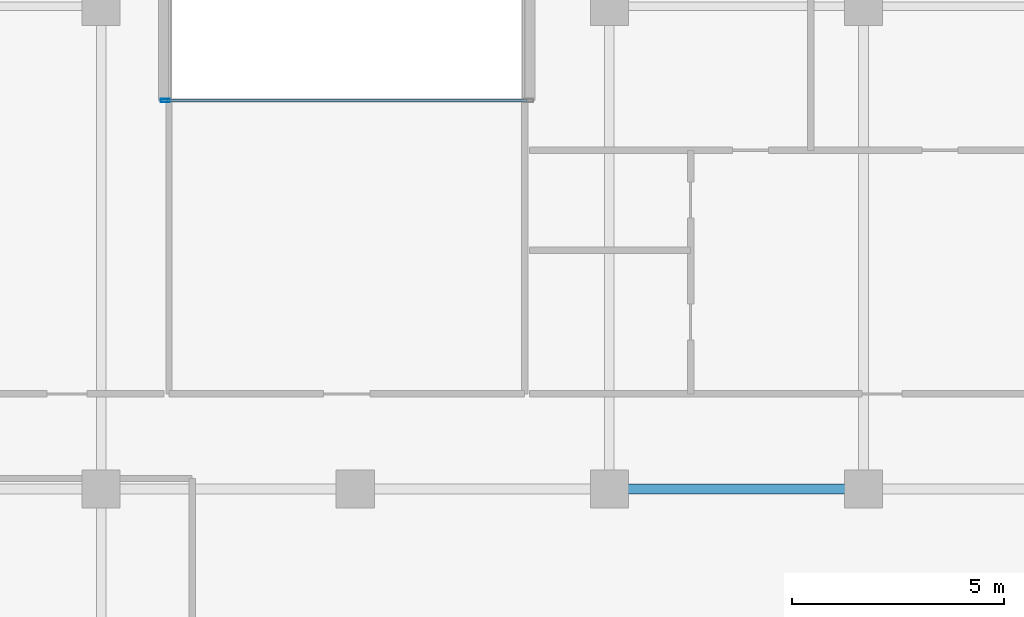
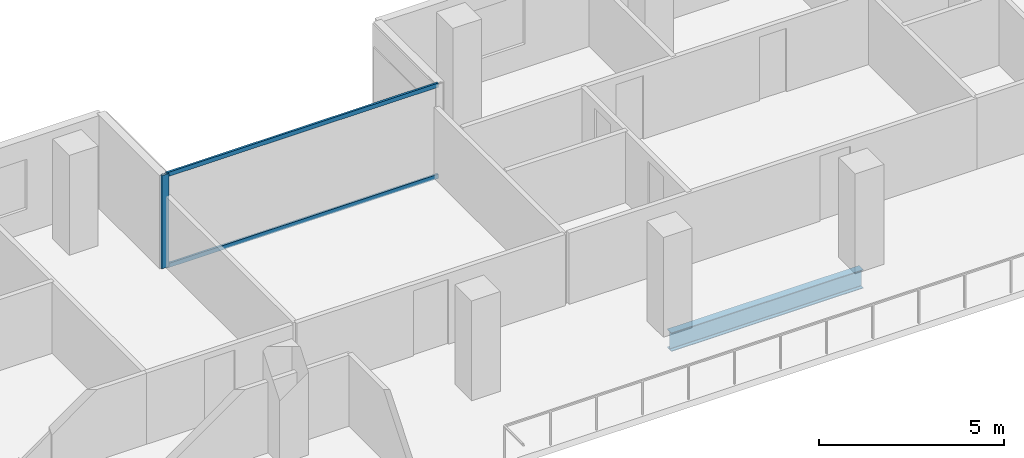
# One storey, part 10 of 29: 3 members, 1 beam, 1 element without a shape of its own.
"""IFC4 building model written with IfcOpenShell, lengths in metres."""

import ifcopenshell
import ifcopenshell.guid

model = None  # the IFC model being written
_history = None  # IfcOwnerHistory: only IFC2X3 demands one
_inside = {}  # id of a spatial element -> (the spatial element, [elements in it])
_under = {}  # id of a project, library or spatial element -> (it, [spatial elements below it])
_declared = {}  # id of a project -> (the project, [libraries it declares])
_typed = {}  # id of a type object -> (the type object, [elements of that type])
_made_of = {}  # id of a material, layer set ... -> (it, [elements and type objects made of it])


def new_model(schema):
    """Start an empty IFC model of exactly this schema.

    Asked for "IFC4X3", IfcOpenShell would pick the latest addendum, in which some entities
    have other attributes; the version numbers below select the first issue.
    IFC2X3 requires an IfcOwnerHistory on every rooted entity: one is made here for all.
    """
    global model, _history
    if schema == "IFC4X3":
        model = ifcopenshell.file(schema_version=(4, 3, 0, 0))
    else:
        model = ifcopenshell.file(schema=schema)
    _inside.clear()
    _under.clear()
    _declared.clear()
    _typed.clear()
    _made_of.clear()
    _history = None
    if model.schema == "IFC2X3":
        org = make("IfcOrganization", Name="unknown")
        user = make(
            "IfcPersonAndOrganization",
            ThePerson=make("IfcPerson", FamilyName="unknown"),
            TheOrganization=org,
        )
        app = make(
            "IfcApplication",
            ApplicationDeveloper=org,
            Version="unknown",
            ApplicationFullName="unknown",
            ApplicationIdentifier="unknown",
        )
        _history = make(
            "IfcOwnerHistory",
            OwningUser=user,
            OwningApplication=app,
            ChangeAction="ADDED",
            CreationDate=0,
        )
    return model


def make(cls, **values):
    """One entity of the class cls with the attributes given. An attribute that is None is left unset."""
    return model.create_entity(
        cls, **{name: value for name, value in values.items() if value is not None}
    )


def rooted(cls, **values):
    """An entity with a GlobalId (a new one), such as an element, a storey or a relation."""
    return make(cls, GlobalId=ifcopenshell.guid.new(), OwnerHistory=_history, **values)


def si_unit(unit_type, name, prefix=None):
    """IfcSIUnit, for example si_unit("LENGTHUNIT", "METRE", prefix="MILLI")."""
    return make("IfcSIUnit", UnitType=unit_type, Prefix=prefix, Name=name)


def assignment(units):
    """IfcUnitAssignment: the units of a project."""
    return None if units is None else make("IfcUnitAssignment", Units=units)


def point(xyz):
    """IfcCartesianPoint."""
    return None if xyz is None else make("IfcCartesianPoint", Coordinates=xyz)


def direction(xyz):
    """IfcDirection."""
    return None if xyz is None else make("IfcDirection", DirectionRatios=xyz)


def frame(location, z_axis=None, x_axis=None):
    """IfcAxis2Placement3D, a coordinate frame: its origin and axes. An axis left out is left unset."""
    return make(
        "IfcAxis2Placement3D",
        Location=point(location),
        Axis=direction(z_axis),
        RefDirection=direction(x_axis),
    )


def frame_2d(location, x_axis=None):
    """IfcAxis2Placement2D, a coordinate frame in the plane: its origin and x axis."""
    return make(
        "IfcAxis2Placement2D", Location=point(location), RefDirection=direction(x_axis)
    )


def origin():
    """The frame at (0, 0, 0) with its axes left unset."""
    return frame((0.0, 0.0, 0.0))


def origin_2d():
    """The frame at (0, 0) in the plane with its x axis left unset."""
    return frame_2d((0.0, 0.0))


def place(relative_to, where):
    """IfcLocalPlacement: puts the frame where relative to a parent placement (None: the world)."""
    return make(
        "IfcLocalPlacement", PlacementRelTo=relative_to, RelativePlacement=where
    )


def context(
    kind, dimensions, precision=None, world=None, true_north=None, identifier=None
):
    """IfcGeometricRepresentationContext, for example the 3D "Model" context."""
    return make(
        "IfcGeometricRepresentationContext",
        ContextIdentifier=identifier,
        ContextType=kind,
        CoordinateSpaceDimension=dimensions,
        Precision=precision,
        WorldCoordinateSystem=world,
        TrueNorth=true_north,
    )


def subcontext(parent, identifier, kind, view, scale=None):
    """IfcGeometricRepresentationSubContext, for example "Body" below "Model"."""
    return make(
        "IfcGeometricRepresentationSubContext",
        ContextIdentifier=identifier,
        ContextType=kind,
        ParentContext=parent,
        TargetScale=scale,
        TargetView=view,
    )


def project(units=None, contexts=None):
    """IfcProject with its units and contexts."""
    return rooted(
        "IfcProject",
        Name="project",
        RepresentationContexts=contexts,
        UnitsInContext=assignment(units),
    )


def spatial(cls, under=None, at=None, **own):
    """A site, building, storey or space (cls), placed at a placement, below another one or the project."""
    s = rooted(cls, ObjectPlacement=at, **own)
    if under is not None:
        _under.setdefault(under.id(), (under, []))[1].append(s)
    return s


def profile(cls, at=None, kind="AREA", **sizes):
    """A parametric profile (cls). Its sizes go by their IFC names, for example OverallWidth=200.0."""
    return make(cls, ProfileType=kind, Position=at, **sizes)


def hollow_rectangle(**sizes):
    """IfcRectangleHollowProfileDef."""
    return profile("IfcRectangleHollowProfileDef", **sizes)


def i_section(**sizes):
    """IfcIShapeProfileDef."""
    return profile("IfcIShapeProfileDef", **sizes)


def extrude(swept, where, along, depth):
    """IfcExtrudedAreaSolid: the profile swept, set in the frame where, extruded along a direction by depth."""
    return make(
        "IfcExtrudedAreaSolid",
        SweptArea=swept,
        Position=where,
        ExtrudedDirection=direction(along),
        Depth=depth,
    )


def shape(context_of_items, identifier, shape_type, items):
    """IfcShapeRepresentation: the items that make up one representation, for example the "Body"."""
    return make(
        "IfcShapeRepresentation",
        ContextOfItems=context_of_items,
        RepresentationIdentifier=identifier,
        RepresentationType=shape_type,
        Items=items,
    )


def material(Name=None, Category=None):
    """IfcMaterial."""
    return make("IfcMaterial", Name=Name, Category=Category)


def layer(
    of_material, thickness, ventilated=None, Name=None, Category=None, Priority=None
):
    """IfcMaterialLayer: one layer of a wall or slab, of a material (None: an air gap)."""
    return make(
        "IfcMaterialLayer",
        Material=of_material,
        LayerThickness=thickness,
        IsVentilated=ventilated,
        Name=Name,
        Category=Category,
        Priority=Priority,
    )


def layer_set(layers, Name=None):
    """IfcMaterialLayerSet."""
    return make("IfcMaterialLayerSet", MaterialLayers=layers, LayerSetName=Name)


def material_profile(
    of_material, cross_section, Name=None, Category=None, Priority=None
):
    """IfcMaterialProfile: a cross section and its material."""
    return make(
        "IfcMaterialProfile",
        Name=Name,
        Material=of_material,
        Profile=cross_section,
        Priority=Priority,
        Category=Category,
    )


def profile_set(profiles, Name=None, composite=None):
    """IfcMaterialProfileSet."""
    return make(
        "IfcMaterialProfileSet",
        Name=Name,
        MaterialProfiles=profiles,
        CompositeProfile=composite,
    )


def made_of(thing, what):
    """Note that an element or type object is made of a material, layer set ...; save() writes the relation."""
    if what is not None:
        _made_of.setdefault(what.id(), (what, []))[1].append(thing)
    return thing


def type_object(cls, material=None, **own):
    """A type object (cls), such as IfcWallType, which elements share."""
    return made_of(rooted(cls, **own), material)


def element(
    cls,
    number,
    at=None,
    inside=None,
    cuts=None,
    type_object=None,
    material=None,
    context=None,
    identifier="Body",
    shape_type=None,
    held_by="IfcProductDefinitionShape",
    body=None,
    shapes=None,
    **own,
):
    """One element of the class cls, such as IfcWall. Its Tag is "e" and its number.

    at: its placement. inside: the storey or other place that contains it. cuts: it is an
    opening in that element (IfcRelVoidsElement). A single representation is given by context,
    identifier, shape_type and body (its items); several are given by shapes. held_by: the class
    of the entity that holds the representations. save() writes the other relations.
    """
    e = rooted(cls, Tag="e%d" % number, ObjectPlacement=at, **own)
    if body is not None:
        shapes = [shape(context, identifier, shape_type, body)]
    if shapes is not None:
        e.Representation = make(held_by, Representations=shapes)
    if inside is not None:
        _inside.setdefault(inside.id(), (inside, []))[1].append(e)
    if cuts is not None:
        rooted(
            "IfcRelVoidsElement", RelatingBuildingElement=cuts, RelatedOpeningElement=e
        )
    if type_object is not None:
        _typed.setdefault(type_object.id(), (type_object, []))[1].append(e)
    return made_of(e, material)


def aggregate(whole, parts):
    """IfcRelAggregates: a whole, such as a stair, and the parts it consists of."""
    return rooted("IfcRelAggregates", RelatingObject=whole, RelatedObjects=parts)


def save(model, path):
    """Write the relations noted so far, then the file.

    IfcRelAggregates (storeys below a building ...), IfcRelContainedInSpatialStructure (elements
    in a storey), IfcRelDefinesByType, IfcRelAssociatesMaterial and IfcRelDeclares: one each for
    every whole, place, type object, material and project.
    """
    for whole, parts in _under.values():
        aggregate(whole, parts)
    for where, things in _inside.values():
        rooted(
            "IfcRelContainedInSpatialStructure",
            RelatedElements=things,
            RelatingStructure=where,
        )
    for kind, things in _typed.values():
        rooted("IfcRelDefinesByType", RelatedObjects=things, RelatingType=kind)
    for what, things in _made_of.values():
        rooted("IfcRelAssociatesMaterial", RelatedObjects=things, RelatingMaterial=what)
    for by, libraries in _declared.values():
        rooted("IfcRelDeclares", RelatingContext=by, RelatedDefinitions=libraries)
    model.write(path)


model = new_model("IFC4")

# Units and contexts
model_context = context("Model", 3, precision=1e-05, world=origin(), true_north=direction((0.0, 1.0)))
body_context = subcontext(model_context, "Body", "Model", "MODEL_VIEW")
ifc_project = project(units=[si_unit("LENGTHUNIT", "METRE"), si_unit("AREAUNIT", "SQUARE_METRE"), si_unit("VOLUMEUNIT", "CUBIC_METRE"), si_unit("PLANEANGLEUNIT", "RADIAN"), si_unit("MASSUNIT", "GRAM", prefix="KILO")], contexts=[model_context])

# Site, building, storey
site_placement = place(None, origin())
site = spatial("IfcSite", under=ifc_project, at=site_placement, CompositionType="ELEMENT")
building_placement = place(site_placement, origin())
building = spatial("IfcBuilding", under=site, at=building_placement, Name="Tanjung Sevakor Pilgrim Tower", CompositionType="ELEMENT")
storey_placement = place(building_placement, frame((0.0, 0.0, 148.5)))
storey = spatial("IfcBuildingStorey", under=building, at=storey_placement, Name="L41", CompositionType="ELEMENT", Elevation=148.5)

# Beam
ifc_material_1 = material(Name="Steel S355J2", Category="steel")
ifc_material_profile_1 = material_profile(ifc_material_1, i_section(OverallWidth=0.230224609375, OverallDepth=0.6171875, WebThickness=0.01318359375, FlangeThickness=0.022216796875, FilletRadius=0.0126953125, at=origin_2d()))
ifc_profile_set_1 = profile_set([ifc_material_profile_1], Name="Steel S355J2")
beam_type = type_object("IfcBeamType", Name="BM-B-G3-UB_610x229x140", PredefinedType="BEAM", material=ifc_profile_set_1)
beam_placement = place(storey_placement, frame((54.0, 42.60009765625, -0.528564453125), z_axis=(1.0, 0.0, 0.0), x_axis=(0.0, 1.0, 0.0)))
element("IfcBeam", 1, at=beam_placement, inside=storey, type_object=beam_type, Name="L41 Primary Floor Girder MAIN Y426-04", PredefinedType="BEAM", context=body_context, shape_type="SweptSolid", body=[
    extrude(i_section(OverallWidth=0.230224609375, OverallDepth=0.6171875, WebThickness=0.01318359375, FlangeThickness=0.022216796875, FilletRadius=0.0126953125, at=origin_2d()), origin(), (0.0, 0.0, 1.0), 6.0),
])

# Curtain wall, members
ifc_material_2 = material(Name="Aluminium 6063-T6 and Low-E Glass", Category="aluminium")
ifc_layer = layer(ifc_material_2, 0.179931640625)
ifc_layer_set = layer_set([ifc_layer], Name="CW-SYS-CLEFT")
curtain_wall_type = type_object("IfcCurtainWallType", Name="CW-SYS-CLEFT", PredefinedType="NOTDEFINED", material=ifc_layer_set)
curtain_wall_placement = place(storey_placement, origin())
curtain_wall = element("IfcCurtainWall", 2, at=curtain_wall_placement, inside=storey, type_object=curtain_wall_type, Name="L41 Curtain Wall CW-CLF-L41-10", PredefinedType="NOTDEFINED")
ifc_material_3 = material(Name="Aluminium 6063-T6", Category="aluminium")
ifc_material_profile_2 = material_profile(ifc_material_3, hollow_rectangle(XDim=0.074951171875, YDim=0.219970703125, WallThickness=0.0048828125, at=origin_2d()))
ifc_profile_set_2 = profile_set([ifc_material_profile_2], Name="Aluminium 6063-T6")
member_type_1 = type_object("IfcMemberType", Name="TYPE-CWM-2", PredefinedType="MULLION", material=ifc_profile_set_2)
member_1_placement = place(storey_placement, frame((43.512451171875, 51.77490234375, 0.0), z_axis=(0.0, 0.0, 1.0), x_axis=(0.0, -1.0, 0.0)))
member_1 = element("IfcMember", 3, at=member_1_placement, type_object=member_type_1, Name="CW-CLF mullion 2", PredefinedType="MULLION", context=body_context, shape_type="SweptSolid", body=[
    extrude(hollow_rectangle(XDim=0.074951171875, YDim=0.219970703125, WallThickness=0.0048828125, at=origin_2d()), origin(), (0.0, 0.0, 1.0), 3.080078125),
])
ifc_material_4 = material(Name="Aluminium 6063-T6", Category="aluminium")
ifc_material_profile_3 = material_profile(ifc_material_4, hollow_rectangle(XDim=0.06494140625, YDim=0.139892578125, WallThickness=0.00390625, at=origin_2d()))
ifc_profile_set_3 = profile_set([ifc_material_profile_3], Name="Aluminium 6063-T6")
member_type_2 = type_object("IfcMemberType", Name="TYPE-CWT-1", PredefinedType="USERDEFINED", material=ifc_profile_set_3)
member_2_placement = place(storey_placement, frame((52.050048828125, 51.77490234375, 0.032470703125), z_axis=(-1.0, 0.0, 0.0), x_axis=(0.0, -1.0, 0.0)))
member_2 = element("IfcMember", 4, at=member_2_placement, type_object=member_type_2, Name="CW-CLF transom 1.1", ObjectType="TRANSOM", PredefinedType="USERDEFINED", context=body_context, shape_type="SweptSolid", body=[
    extrude(hollow_rectangle(XDim=0.06494140625, YDim=0.139892578125, WallThickness=0.00390625, at=origin_2d()), origin(), (0.0, 0.0, 1.0), 8.5),
])
member_3_placement = place(storey_placement, frame((52.050048828125, 51.77490234375, 3.047607421875), z_axis=(-1.0, 0.0, 0.0), x_axis=(0.0, -1.0, 0.0)))
member_3 = element("IfcMember", 5, at=member_3_placement, type_object=member_type_2, Name="CW-CLF transom 1.2", ObjectType="TRANSOM", PredefinedType="USERDEFINED", context=body_context, shape_type="SweptSolid", body=[
    extrude(hollow_rectangle(XDim=0.06494140625, YDim=0.139892578125, WallThickness=0.00390625, at=origin_2d()), origin(), (0.0, 0.0, 1.0), 8.5),
])
aggregate(curtain_wall, [member_1, member_2, member_3])

save(model, "model.ifc")
